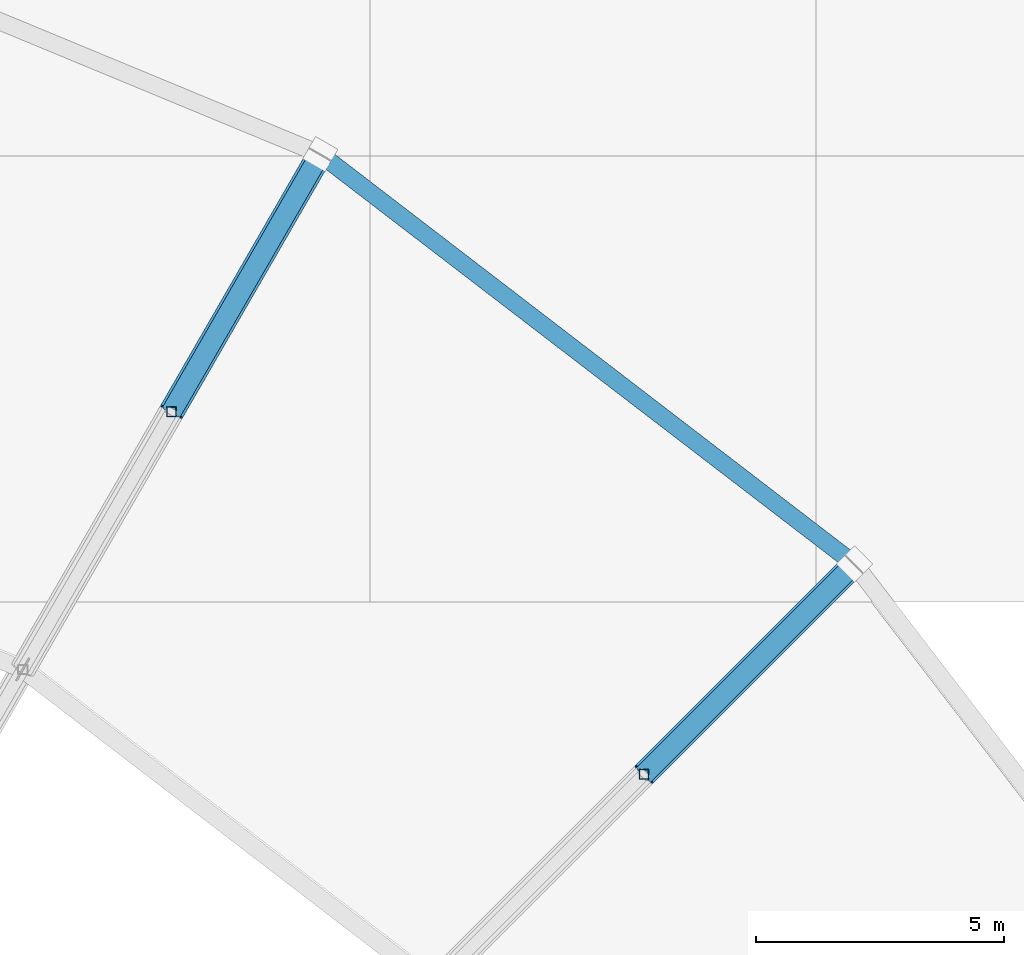
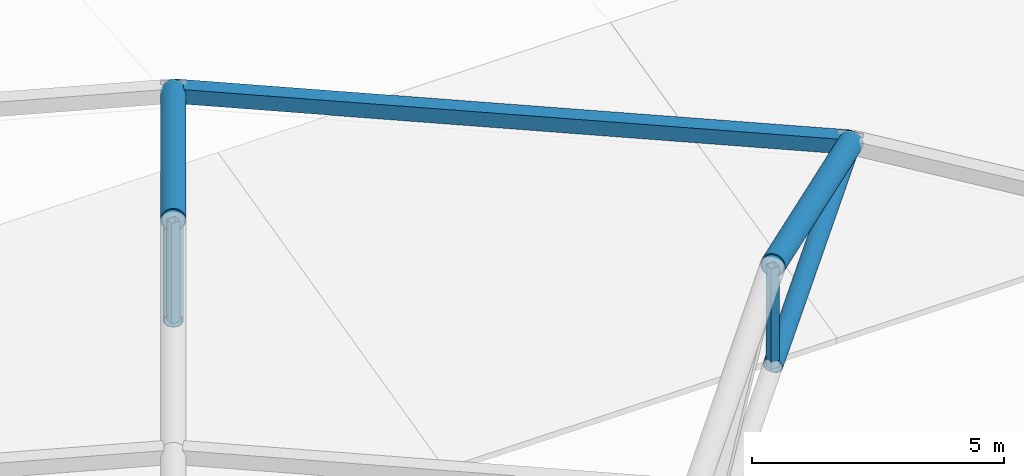
# One storey, part 81 of 167: 7 members.
"""IFC4 building model written with IfcOpenShell, lengths in metres."""

from ifc_helpers import new_model, si_unit, direction, frame, origin, origin_2d, place, context, subcontext, project, spatial, hollow_rectangle, hollow_circle, extrude, material, material_profile, profile_set, type_object, element, save


model = new_model("IFC4")

# Units and contexts
model_context = context("Model", 3, precision=1e-05, world=origin(), true_north=direction((0.0, 1.0)))
body_context = subcontext(model_context, "Body", "Model", "MODEL_VIEW")
ifc_project = project(units=[si_unit("LENGTHUNIT", "METRE"), si_unit("AREAUNIT", "SQUARE_METRE"), si_unit("VOLUMEUNIT", "CUBIC_METRE"), si_unit("PLANEANGLEUNIT", "RADIAN"), si_unit("MASSUNIT", "GRAM", prefix="KILO")], contexts=[model_context])

# Site, building, storey
site_placement = place(None, origin())
site = spatial("IfcSite", under=ifc_project, at=site_placement, CompositionType="ELEMENT")
building_placement = place(site_placement, origin())
building = spatial("IfcBuilding", under=site, at=building_placement, Name="Dornveld Trade and Exhibition Forum", CompositionType="ELEMENT")
storey_placement = place(building_placement, frame((0.0, 0.0, 16.800048828125)))
storey = spatial("IfcBuildingStorey", under=building, at=storey_placement, Name="L03", CompositionType="ELEMENT", Elevation=16.800048828125)

# Members
ifc_material_1 = material(Name="Steel S355J2", Category="steel")
ifc_material_profile_1 = material_profile(ifc_material_1, hollow_circle(Radius=0.203125, WallThickness=0.02001953125, at=origin_2d()), Name="CHS 406.4x20")
ifc_profile_set_1 = profile_set([ifc_material_profile_1], Name="Steel S355J2")
member_type_1 = type_object("IfcMemberType", Name="MEM-DISC-BC", PredefinedType="CHORD", material=ifc_profile_set_1)
member_1_placement = place(storey_placement, frame((149.52685546875, 113.52685546875, 3.437744140625), z_axis=(0.68955639355, 0.68955639355, 0.221413550236), x_axis=(-0.707106781187, 0.707106781187, 0.0)))
element("IfcMember", 1, at=member_1_placement, inside=storey, type_object=member_type_1, Name="Roof disc radial R04 conical bottom chord 4", PredefinedType="CHORD", context=body_context, shape_type="SweptSolid", body=[
    extrude(hollow_circle(Radius=0.203125, WallThickness=0.02001953125, at=origin_2d()), origin(), (0.0, 0.0, 1.0), 6.15283203125),
])
member_2_placement = place(storey_placement, frame((140.0, 120.837158203125, 3.437744140625), z_axis=(0.487596998988, 0.844525303504, 0.221418559111), x_axis=(-0.866020924479, 0.500007758305, 0.0)))
element("IfcMember", 2, at=member_2_placement, inside=storey, type_object=member_type_1, Name="Roof disc radial R05 conical bottom chord 4", PredefinedType="CHORD", context=body_context, shape_type="SweptSolid", body=[
    extrude(hollow_circle(Radius=0.203125, WallThickness=0.02001953125, at=origin_2d()), origin(), (0.0, 0.0, 1.0), 6.152587890625),
])
ifc_material_2 = material(Name="Steel S355J2", Category="steel")
ifc_material_profile_2 = material_profile(ifc_material_2, hollow_rectangle(XDim=0.35009765625, YDim=0.35009765625, WallThickness=0.01611328125, at=origin_2d()), Name="SHS 350x350x16")
ifc_profile_set_2 = profile_set([ifc_material_profile_2], Name="Steel S355J2")
member_type_2 = type_object("IfcMemberType", Name="MEM-DISC-RING", PredefinedType="CHORD", material=ifc_profile_set_2)
member_3_placement = place(storey_placement, frame((153.76953125, 117.76953125, 4.800048828125), z_axis=(-0.79335619014, 0.608757714995, 0.0), x_axis=(-0.608757714995, -0.79335619014, 0.0)))
element("IfcMember", 3, at=member_3_placement, inside=storey, type_object=member_type_2, Name="Roof disc ring 4 chord 4", PredefinedType="CHORD", context=body_context, shape_type="SweptSolid", body=[
    extrude(hollow_rectangle(XDim=0.35009765625, YDim=0.35009765625, WallThickness=0.01611328125, at=origin_2d()), origin(), (0.0, 0.0, 1.0), 13.57470703125),
])
ifc_material_3 = material(Name="Steel S355J2", Category="steel")
ifc_material_profile_3 = material_profile(ifc_material_3, hollow_rectangle(XDim=0.199951171875, YDim=0.199951171875, WallThickness=0.010009765625, at=origin_2d()), Name="SHS 200x200x10")
ifc_profile_set_3 = profile_set([ifc_material_profile_3], Name="Steel S355J2")
member_type_3 = type_object("IfcMemberType", Name="MEM-DISC-STR", PredefinedType="STRUT", material=ifc_profile_set_3)
for number, where, z_axis, x_axis, name in (
    (4, (149.52685546875, 113.52685546875, 3.437744140625), (0.0, 0.0, 1.0), (1.0, 0.0, 0.0), "Roof disc radial R04 strut 4"),
    (5, (140.0, 120.837158203125, 3.437744140625), (0.0, 0.0, 1.0), (1.0, 0.0, 0.0), "Roof disc radial R05 strut 4"),
):
    element("IfcMember", number, at=place(storey_placement, frame(where, z_axis=z_axis, x_axis=x_axis)), inside=storey, type_object=member_type_3, Name=name, PredefinedType="STRUT", context=body_context, shape_type="SweptSolid", body=[
        extrude(hollow_rectangle(XDim=0.199951171875, YDim=0.199951171875, WallThickness=0.010009765625, at=origin_2d()), origin(), (0.0, 0.0, 1.0), 2.437255859375),
    ])
ifc_material_4 = material(Name="Steel S355J2", Category="steel")
ifc_material_profile_4 = material_profile(ifc_material_4, hollow_circle(Radius=0.25390625, WallThickness=0.02490234375, at=origin_2d()), Name="CHS 508x25")
ifc_profile_set_4 = profile_set([ifc_material_profile_4], Name="Steel S355J2")
member_type_4 = type_object("IfcMemberType", Name="MEM-DISC-TC", PredefinedType="CHORD", material=ifc_profile_set_4)
member_4_placement = place(storey_placement, frame((149.52685546875, 113.52685546875, 5.875), z_axis=(0.696024764871, 0.696024764871, -0.176349236951), x_axis=(-0.707106781187, 0.707106781187, 0.0)))
element("IfcMember", 6, at=member_4_placement, inside=storey, type_object=member_type_4, Name="Roof disc radial R04 top chord 4", PredefinedType="CHORD", context=body_context, shape_type="SweptSolid", body=[
    extrude(hollow_circle(Radius=0.25390625, WallThickness=0.02490234375, at=origin_2d()), origin(), (0.0, 0.0, 1.0), 6.095703125),
])
member_5_placement = place(storey_placement, frame((140.0, 120.837158203125, 5.875), z_axis=(0.492171103715, 0.852447721385, -0.176353301567), x_axis=(-0.866020924479, 0.500007758305, 0.0)))
element("IfcMember", 7, at=member_5_placement, inside=storey, type_object=member_type_4, Name="Roof disc radial R05 top chord 4", PredefinedType="CHORD", context=body_context, shape_type="SweptSolid", body=[
    extrude(hollow_circle(Radius=0.25390625, WallThickness=0.02490234375, at=origin_2d()), origin(), (0.0, 0.0, 1.0), 6.095458984375),
])

save(model, "model.ifc")
